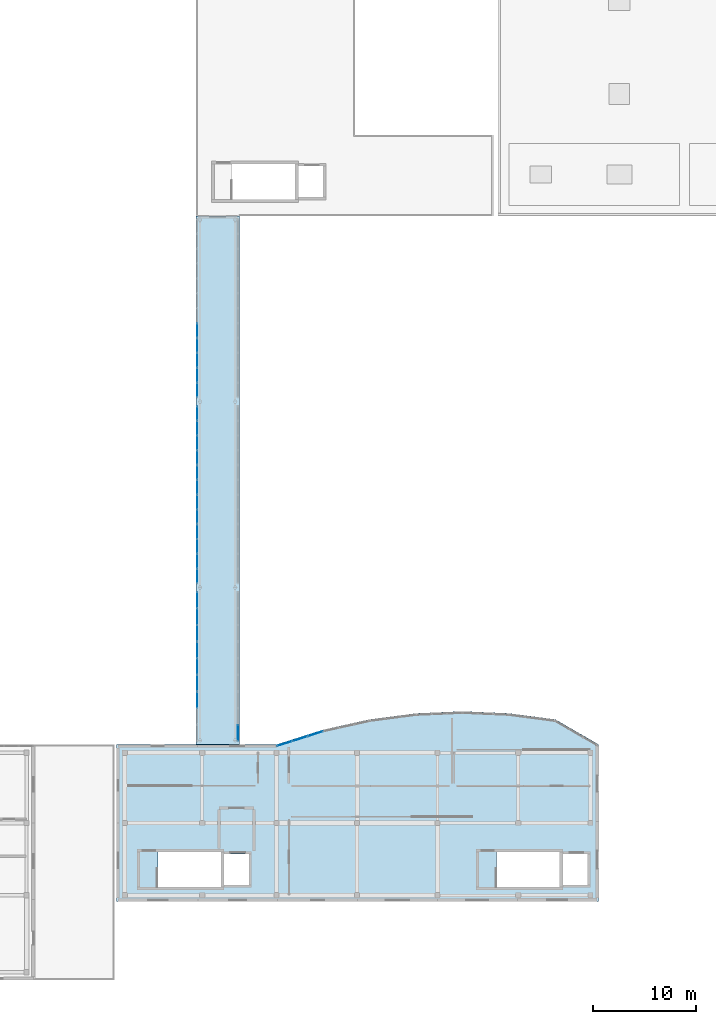
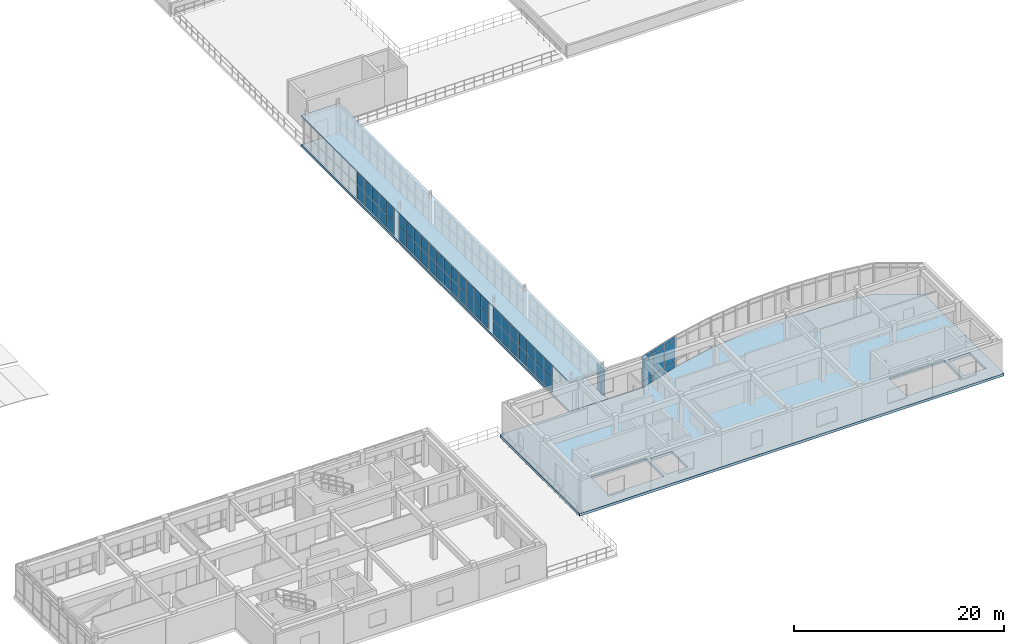
# One storey, part 37 of 52: 59 plates, 3 slabs, 10 elements without a shape of their own.
"""IFC4 building model written with IfcOpenShell, lengths in metres."""

from ifc_helpers import new_model, si_unit, direction, frame, origin, origin_2d, place, context, subcontext, project, spatial, polyline, rectangle, outline, extrude, material, layer, layer_set, type_object, element, aggregate, save


model = new_model("IFC4")

# Units and contexts
model_context = context("Model", 3, precision=1e-05, world=origin(), true_north=direction((0.0, 1.0)))
body_context = subcontext(model_context, "Body", "Model", "MODEL_VIEW")
ifc_project = project(units=[si_unit("LENGTHUNIT", "METRE"), si_unit("AREAUNIT", "SQUARE_METRE"), si_unit("VOLUMEUNIT", "CUBIC_METRE"), si_unit("PLANEANGLEUNIT", "RADIAN"), si_unit("MASSUNIT", "GRAM", prefix="KILO")], contexts=[model_context])

# Site, building, storey
site_placement = place(None, origin())
site = spatial("IfcSite", under=ifc_project, at=site_placement, CompositionType="ELEMENT")
building_placement = place(site_placement, origin())
building = spatial("IfcBuilding", under=site, at=building_placement, Name="Valcora Specialist Clinic", CompositionType="ELEMENT")
storey_placement = place(building_placement, frame((0.0, 0.0, 17.679931640625)))
storey = spatial("IfcBuildingStorey", under=building, at=storey_placement, Name="L04", CompositionType="ELEMENT", Elevation=17.679931640625)

# Curtain wall, plates
ifc_material_1 = material(Name="Anodized Bronze Aluminium 6063-T6", Category="aluminium")
ifc_layer_1 = layer(ifc_material_1, 0.175048828125)
ifc_layer_set_1 = layer_set([ifc_layer_1], Name="Anodized Bronze Aluminium 6063-T6")
curtain_wall_type_1 = type_object("IfcCurtainWallType", Name="TY-CW-ARC40", PredefinedType="NOTDEFINED", material=ifc_layer_set_1)
curtain_wall_1_placement = place(storey_placement, origin())
curtain_wall_1 = element("IfcCurtainWall", 1, at=curtain_wall_1_placement, inside=storey, type_object=curtain_wall_type_1, Name="Curtain wall CW-L04-218", PredefinedType="NOTDEFINED")
ifc_material_2 = material(Name="Low-E Laminated Insulating Glass", Category="glass")
ifc_layer_2 = layer(ifc_material_2, 0.028076171875)
ifc_layer_set_2 = layer_set([ifc_layer_2], Name="Low-E Laminated Insulating Glass")
plate_type_1 = type_object("IfcPlateType", Name="TY-CWP-GLZ28", PredefinedType="CURTAIN_PANEL", material=ifc_layer_set_2)
plate_1_placement = place(storey_placement, frame((69.79150390625, 22.89453125, 0.882568359375), z_axis=(0.0, 0.0, 1.0), x_axis=(0.952916356972, 0.303233270958, 0.0)))
plate_1 = element("IfcPlate", 2, at=plate_1_placement, type_object=plate_type_1, Name="CW-ARC-40 panel 1.2", PredefinedType="CURTAIN_PANEL", context=body_context, shape_type="SweptSolid", body=[
    extrude(rectangle(XDim=1.482177734375, YDim=0.028076171875, at=origin_2d()), origin(), (0.0, 0.0, 1.0), 2.31005859375),
])
plate_2_placement = place(storey_placement, frame((69.79150390625, 22.89453125, 3.2578125), z_axis=(0.0, 0.0, 1.0), x_axis=(0.952916356972, 0.303233270958, 0.0)))
plate_2 = element("IfcPlate", 3, at=plate_2_placement, type_object=plate_type_1, Name="CW-ARC-40 panel 1.3", PredefinedType="CURTAIN_PANEL", context=body_context, shape_type="SweptSolid", body=[
    extrude(rectangle(XDim=1.482177734375, YDim=0.028076171875, at=origin_2d()), origin(), (0.0, 0.0, 1.0), 0.452392578125),
])
plate_3_placement = place(storey_placement, frame((71.28125, 23.368408203125, 0.882568359375), z_axis=(0.0, 0.0, 1.0), x_axis=(0.952916356972, 0.303233270958, 0.0)))
plate_3 = element("IfcPlate", 4, at=plate_3_placement, type_object=plate_type_1, Name="CW-ARC-40 panel 2.2", PredefinedType="CURTAIN_PANEL", context=body_context, shape_type="SweptSolid", body=[
    extrude(rectangle(XDim=1.5146484375, YDim=0.028076171875, at=origin_2d()), origin(), (0.0, 0.0, 1.0), 2.31005859375),
])
plate_4_placement = place(storey_placement, frame((71.28125, 23.368408203125, 3.2578125), z_axis=(0.0, 0.0, 1.0), x_axis=(0.952916356972, 0.303233270958, 0.0)))
plate_4 = element("IfcPlate", 5, at=plate_4_placement, type_object=plate_type_1, Name="CW-ARC-40 panel 2.3", PredefinedType="CURTAIN_PANEL", context=body_context, shape_type="SweptSolid", body=[
    extrude(rectangle(XDim=1.5146484375, YDim=0.028076171875, at=origin_2d()), origin(), (0.0, 0.0, 1.0), 0.452392578125),
])
plate_5_placement = place(storey_placement, frame((72.77099609375, 23.842529296875, 0.882568359375), z_axis=(0.0, 0.0, 1.0), x_axis=(0.952916356972, 0.303233270958, 0.0)))
plate_5 = element("IfcPlate", 6, at=plate_5_placement, type_object=plate_type_1, Name="CW-ARC-40 panel 3.2", PredefinedType="CURTAIN_PANEL", context=body_context, shape_type="SweptSolid", body=[
    extrude(rectangle(XDim=1.482177734375, YDim=0.028076171875, at=origin_2d()), origin(), (0.0, 0.0, 1.0), 2.31005859375),
])
plate_6_placement = place(storey_placement, frame((72.77099609375, 23.842529296875, 3.2578125), z_axis=(0.0, 0.0, 1.0), x_axis=(0.952916356972, 0.303233270958, 0.0)))
plate_6 = element("IfcPlate", 7, at=plate_6_placement, type_object=plate_type_1, Name="CW-ARC-40 panel 3.3", PredefinedType="CURTAIN_PANEL", context=body_context, shape_type="SweptSolid", body=[
    extrude(rectangle(XDim=1.482177734375, YDim=0.028076171875, at=origin_2d()), origin(), (0.0, 0.0, 1.0), 0.452392578125),
])

ifc_layer_3 = layer(ifc_material_1, 0.175048828125)
ifc_layer_set_3 = layer_set([ifc_layer_3], Name="Anodized Bronze Aluminium 6063-T6")
curtain_wall_type_2 = type_object("IfcCurtainWallType", Name="TY-CW-BRG14", PredefinedType="NOTDEFINED", material=ifc_layer_set_3)
curtain_wall_2_placement = place(storey_placement, origin())
curtain_wall_2 = element("IfcCurtainWall", 8, at=curtain_wall_2_placement, inside=storey, type_object=curtain_wall_type_2, Name="Curtain wall CW-L04-268", PredefinedType="NOTDEFINED")
plate_7_placement = place(storey_placement, frame((61.320068359375, 28.755126953125, 0.065185546875), z_axis=(0.0, 0.0, 1.0), x_axis=(0.0, 1.0, 0.0)))
plate_7 = element("IfcPlate", 9, at=plate_7_placement, type_object=plate_type_1, Name="CW-BRG-14 panel 1.1", PredefinedType="CURTAIN_PANEL", context=body_context, shape_type="SweptSolid", body=[
    extrude(rectangle(XDim=1.513671875, YDim=0.028076171875, at=origin_2d()), origin(), (0.0, 0.0, 1.0), 1.5224609375),
])
plate_8_placement = place(storey_placement, frame((61.320068359375, 28.755126953125, 1.652587890625), z_axis=(0.0, 0.0, 1.0), x_axis=(0.0, 1.0, 0.0)))
plate_8 = element("IfcPlate", 10, at=plate_8_placement, type_object=plate_type_1, Name="CW-BRG-14 panel 1.2", PredefinedType="CURTAIN_PANEL", context=body_context, shape_type="SweptSolid", body=[
    extrude(rectangle(XDim=1.513671875, YDim=0.028076171875, at=origin_2d()), origin(), (0.0, 0.0, 1.0), 1.5224609375),
])
plate_9_placement = place(storey_placement, frame((61.320068359375, 30.35009765625, 0.065185546875), z_axis=(0.0, 0.0, 1.0), x_axis=(0.0, 1.0, 0.0)))
plate_9 = element("IfcPlate", 11, at=plate_9_placement, type_object=plate_type_1, Name="CW-BRG-14 panel 2.1", PredefinedType="CURTAIN_PANEL", context=body_context, shape_type="SweptSolid", body=[
    extrude(rectangle(XDim=1.546142578125, YDim=0.028076171875, at=origin_2d()), origin(), (0.0, 0.0, 1.0), 1.5224609375),
])
plate_10_placement = place(storey_placement, frame((61.320068359375, 30.35009765625, 1.652587890625), z_axis=(0.0, 0.0, 1.0), x_axis=(0.0, 1.0, 0.0)))
plate_10 = element("IfcPlate", 12, at=plate_10_placement, type_object=plate_type_1, Name="CW-BRG-14 panel 2.2", PredefinedType="CURTAIN_PANEL", context=body_context, shape_type="SweptSolid", body=[
    extrude(rectangle(XDim=1.546142578125, YDim=0.028076171875, at=origin_2d()), origin(), (0.0, 0.0, 1.0), 1.5224609375),
])
plate_11_placement = place(storey_placement, frame((61.320068359375, 31.94482421875, 0.065185546875), z_axis=(0.0, 0.0, 1.0), x_axis=(0.0, 1.0, 0.0)))
plate_11 = element("IfcPlate", 13, at=plate_11_placement, type_object=plate_type_1, Name="CW-BRG-14 panel 3.1", PredefinedType="CURTAIN_PANEL", context=body_context, shape_type="SweptSolid", body=[
    extrude(rectangle(XDim=1.513671875, YDim=0.028076171875, at=origin_2d()), origin(), (0.0, 0.0, 1.0), 1.5224609375),
])
plate_12_placement = place(storey_placement, frame((61.320068359375, 31.94482421875, 1.652587890625), z_axis=(0.0, 0.0, 1.0), x_axis=(0.0, 1.0, 0.0)))
plate_12 = element("IfcPlate", 14, at=plate_12_placement, type_object=plate_type_1, Name="CW-BRG-14 panel 3.2", PredefinedType="CURTAIN_PANEL", context=body_context, shape_type="SweptSolid", body=[
    extrude(rectangle(XDim=1.513671875, YDim=0.028076171875, at=origin_2d()), origin(), (0.0, 0.0, 1.0), 1.5224609375),
])
aggregate(curtain_wall_2, [plate_7, plate_8, plate_9, plate_10, plate_11, plate_12])

curtain_wall_3_placement = place(storey_placement, origin())
curtain_wall_3 = element("IfcCurtainWall", 15, at=curtain_wall_3_placement, inside=storey, type_object=curtain_wall_type_2, Name="Curtain wall CW-L04-270", PredefinedType="NOTDEFINED")
plate_13_placement = place(storey_placement, frame((61.320068359375, 39.1328125, 0.065185546875), z_axis=(0.0, 0.0, 1.0), x_axis=(0.0, 1.0, 0.0)))
plate_13 = element("IfcPlate", 16, at=plate_13_placement, type_object=plate_type_1, Name="CW-BRG-14 panel 1.1", PredefinedType="CURTAIN_PANEL", context=body_context, shape_type="SweptSolid", body=[
    extrude(rectangle(XDim=1.3359375, YDim=0.028076171875, at=origin_2d()), origin(), (0.0, 0.0, 1.0), 1.5224609375),
])
plate_14_placement = place(storey_placement, frame((61.320068359375, 39.1328125, 1.652587890625), z_axis=(0.0, 0.0, 1.0), x_axis=(0.0, 1.0, 0.0)))
plate_14 = element("IfcPlate", 17, at=plate_14_placement, type_object=plate_type_1, Name="CW-BRG-14 panel 1.2", PredefinedType="CURTAIN_PANEL", context=body_context, shape_type="SweptSolid", body=[
    extrude(rectangle(XDim=1.3359375, YDim=0.028076171875, at=origin_2d()), origin(), (0.0, 0.0, 1.0), 1.5224609375),
])
plate_15_placement = place(storey_placement, frame((61.320068359375, 40.550048828125, 0.065185546875), z_axis=(0.0, 0.0, 1.0), x_axis=(0.0, 1.0, 0.0)))
plate_15 = element("IfcPlate", 18, at=plate_15_placement, type_object=plate_type_1, Name="CW-BRG-14 panel 2.1", PredefinedType="CURTAIN_PANEL", context=body_context, shape_type="SweptSolid", body=[
    extrude(rectangle(XDim=1.368408203125, YDim=0.028076171875, at=origin_2d()), origin(), (0.0, 0.0, 1.0), 1.5224609375),
])
plate_16_placement = place(storey_placement, frame((61.320068359375, 40.550048828125, 1.652587890625), z_axis=(0.0, 0.0, 1.0), x_axis=(0.0, 1.0, 0.0)))
plate_16 = element("IfcPlate", 19, at=plate_16_placement, type_object=plate_type_1, Name="CW-BRG-14 panel 2.2", PredefinedType="CURTAIN_PANEL", context=body_context, shape_type="SweptSolid", body=[
    extrude(rectangle(XDim=1.368408203125, YDim=0.028076171875, at=origin_2d()), origin(), (0.0, 0.0, 1.0), 1.5224609375),
])
plate_17_placement = place(storey_placement, frame((61.320068359375, 41.9833984375, 0.065185546875), z_axis=(0.0, 0.0, 1.0), x_axis=(0.0, 1.0, 0.0)))
plate_17 = element("IfcPlate", 20, at=plate_17_placement, type_object=plate_type_1, Name="CW-BRG-14 panel 3.1", PredefinedType="CURTAIN_PANEL", context=body_context, shape_type="SweptSolid", body=[
    extrude(rectangle(XDim=1.368408203125, YDim=0.028076171875, at=origin_2d()), origin(), (0.0, 0.0, 1.0), 1.5224609375),
])
plate_18_placement = place(storey_placement, frame((61.320068359375, 41.9833984375, 1.652587890625), z_axis=(0.0, 0.0, 1.0), x_axis=(0.0, 1.0, 0.0)))
plate_18 = element("IfcPlate", 21, at=plate_18_placement, type_object=plate_type_1, Name="CW-BRG-14 panel 3.2", PredefinedType="CURTAIN_PANEL", context=body_context, shape_type="SweptSolid", body=[
    extrude(rectangle(XDim=1.368408203125, YDim=0.028076171875, at=origin_2d()), origin(), (0.0, 0.0, 1.0), 1.5224609375),
])
plate_19_placement = place(storey_placement, frame((61.320068359375, 43.400390625, 0.065185546875), z_axis=(0.0, 0.0, 1.0), x_axis=(0.0, 1.0, 0.0)))
plate_19 = element("IfcPlate", 22, at=plate_19_placement, type_object=plate_type_1, Name="CW-BRG-14 panel 4.1", PredefinedType="CURTAIN_PANEL", context=body_context, shape_type="SweptSolid", body=[
    extrude(rectangle(XDim=1.3359375, YDim=0.028076171875, at=origin_2d()), origin(), (0.0, 0.0, 1.0), 1.5224609375),
])
plate_20_placement = place(storey_placement, frame((61.320068359375, 43.400390625, 1.652587890625), z_axis=(0.0, 0.0, 1.0), x_axis=(0.0, 1.0, 0.0)))
plate_20 = element("IfcPlate", 23, at=plate_20_placement, type_object=plate_type_1, Name="CW-BRG-14 panel 4.2", PredefinedType="CURTAIN_PANEL", context=body_context, shape_type="SweptSolid", body=[
    extrude(rectangle(XDim=1.3359375, YDim=0.028076171875, at=origin_2d()), origin(), (0.0, 0.0, 1.0), 1.5224609375),
])
aggregate(curtain_wall_3, [plate_13, plate_14, plate_15, plate_16, plate_17, plate_18, plate_19, plate_20])

curtain_wall_4_placement = place(storey_placement, origin())
curtain_wall_4 = element("IfcCurtainWall", 24, at=curtain_wall_4_placement, inside=storey, type_object=curtain_wall_type_2, Name="Curtain wall CW-L04-272", PredefinedType="NOTDEFINED")
plate_21_placement = place(storey_placement, frame((61.320068359375, 50.599609375, 0.065185546875), z_axis=(0.0, 0.0, 1.0), x_axis=(0.0, 1.0, 0.0)))
plate_21 = element("IfcPlate", 25, at=plate_21_placement, type_object=plate_type_1, Name="CW-BRG-14 panel 1.1", PredefinedType="CURTAIN_PANEL", context=body_context, shape_type="SweptSolid", body=[
    extrude(rectangle(XDim=1.3359375, YDim=0.028076171875, at=origin_2d()), origin(), (0.0, 0.0, 1.0), 1.5224609375),
])
plate_22_placement = place(storey_placement, frame((61.320068359375, 50.599609375, 1.652587890625), z_axis=(0.0, 0.0, 1.0), x_axis=(0.0, 1.0, 0.0)))
plate_22 = element("IfcPlate", 26, at=plate_22_placement, type_object=plate_type_1, Name="CW-BRG-14 panel 1.2", PredefinedType="CURTAIN_PANEL", context=body_context, shape_type="SweptSolid", body=[
    extrude(rectangle(XDim=1.3359375, YDim=0.028076171875, at=origin_2d()), origin(), (0.0, 0.0, 1.0), 1.5224609375),
])
plate_23_placement = place(storey_placement, frame((61.320068359375, 52.0166015625, 0.065185546875), z_axis=(0.0, 0.0, 1.0), x_axis=(0.0, 1.0, 0.0)))
plate_23 = element("IfcPlate", 27, at=plate_23_placement, type_object=plate_type_1, Name="CW-BRG-14 panel 2.1", PredefinedType="CURTAIN_PANEL", context=body_context, shape_type="SweptSolid", body=[
    extrude(rectangle(XDim=1.368408203125, YDim=0.028076171875, at=origin_2d()), origin(), (0.0, 0.0, 1.0), 1.5224609375),
])
plate_24_placement = place(storey_placement, frame((61.320068359375, 52.0166015625, 1.652587890625), z_axis=(0.0, 0.0, 1.0), x_axis=(0.0, 1.0, 0.0)))
plate_24 = element("IfcPlate", 28, at=plate_24_placement, type_object=plate_type_1, Name="CW-BRG-14 panel 2.2", PredefinedType="CURTAIN_PANEL", context=body_context, shape_type="SweptSolid", body=[
    extrude(rectangle(XDim=1.368408203125, YDim=0.028076171875, at=origin_2d()), origin(), (0.0, 0.0, 1.0), 1.5224609375),
])
plate_25_placement = place(storey_placement, frame((61.320068359375, 53.449951171875, 0.065185546875), z_axis=(0.0, 0.0, 1.0), x_axis=(0.0, 1.0, 0.0)))
plate_25 = element("IfcPlate", 29, at=plate_25_placement, type_object=plate_type_1, Name="CW-BRG-14 panel 3.1", PredefinedType="CURTAIN_PANEL", context=body_context, shape_type="SweptSolid", body=[
    extrude(rectangle(XDim=1.368408203125, YDim=0.028076171875, at=origin_2d()), origin(), (0.0, 0.0, 1.0), 1.5224609375),
])
plate_26_placement = place(storey_placement, frame((61.320068359375, 53.449951171875, 1.652587890625), z_axis=(0.0, 0.0, 1.0), x_axis=(0.0, 1.0, 0.0)))
plate_26 = element("IfcPlate", 30, at=plate_26_placement, type_object=plate_type_1, Name="CW-BRG-14 panel 3.2", PredefinedType="CURTAIN_PANEL", context=body_context, shape_type="SweptSolid", body=[
    extrude(rectangle(XDim=1.368408203125, YDim=0.028076171875, at=origin_2d()), origin(), (0.0, 0.0, 1.0), 1.5224609375),
])
plate_27_placement = place(storey_placement, frame((61.320068359375, 54.8671875, 0.065185546875), z_axis=(0.0, 0.0, 1.0), x_axis=(0.0, 1.0, 0.0)))
plate_27 = element("IfcPlate", 31, at=plate_27_placement, type_object=plate_type_1, Name="CW-BRG-14 panel 4.1", PredefinedType="CURTAIN_PANEL", context=body_context, shape_type="SweptSolid", body=[
    extrude(rectangle(XDim=1.3359375, YDim=0.028076171875, at=origin_2d()), origin(), (0.0, 0.0, 1.0), 1.5224609375),
])
plate_28_placement = place(storey_placement, frame((61.320068359375, 54.8671875, 1.652587890625), z_axis=(0.0, 0.0, 1.0), x_axis=(0.0, 1.0, 0.0)))
plate_28 = element("IfcPlate", 32, at=plate_28_placement, type_object=plate_type_1, Name="CW-BRG-14 panel 4.2", PredefinedType="CURTAIN_PANEL", context=body_context, shape_type="SweptSolid", body=[
    extrude(rectangle(XDim=1.3359375, YDim=0.028076171875, at=origin_2d()), origin(), (0.0, 0.0, 1.0), 1.5224609375),
])
aggregate(curtain_wall_4, [plate_21, plate_22, plate_23, plate_24, plate_25, plate_26, plate_27, plate_28])

curtain_wall_5_placement = place(storey_placement, origin())
curtain_wall_5 = element("IfcCurtainWall", 33, at=curtain_wall_5_placement, inside=storey, type_object=curtain_wall_type_2, Name="Curtain wall CW-L04-274", PredefinedType="NOTDEFINED")
plate_29_placement = place(storey_placement, frame((61.320068359375, 62.90380859375, 0.065185546875), z_axis=(0.0, 0.0, 1.0), x_axis=(0.0, 1.0, 0.0)))
plate_29 = element("IfcPlate", 34, at=plate_29_placement, type_object=plate_type_1, Name="CW-BRG-14 panel 1.1", PredefinedType="CURTAIN_PANEL", context=body_context, shape_type="SweptSolid", body=[
    extrude(rectangle(XDim=1.34423828125, YDim=0.028076171875, at=origin_2d()), origin(), (0.0, 0.0, 1.0), 1.5224609375),
])
plate_30_placement = place(storey_placement, frame((61.320068359375, 62.90380859375, 1.652587890625), z_axis=(0.0, 0.0, 1.0), x_axis=(0.0, 1.0, 0.0)))
plate_30 = element("IfcPlate", 35, at=plate_30_placement, type_object=plate_type_1, Name="CW-BRG-14 panel 1.2", PredefinedType="CURTAIN_PANEL", context=body_context, shape_type="SweptSolid", body=[
    extrude(rectangle(XDim=1.34423828125, YDim=0.028076171875, at=origin_2d()), origin(), (0.0, 0.0, 1.0), 1.5224609375),
])
aggregate(curtain_wall_5, [plate_29, plate_30])

curtain_wall_6_placement = place(storey_placement, origin())
curtain_wall_6 = element("IfcCurtainWall", 36, at=curtain_wall_6_placement, inside=storey, type_object=curtain_wall_type_2, Name="Curtain wall CW-L04-276", PredefinedType="NOTDEFINED")
plate_31_placement = place(storey_placement, frame((65.280029296875, 23.921875, 0.065185546875), z_axis=(0.0, 0.0, 1.0), x_axis=(0.0, 1.0, 0.0)))
plate_31 = element("IfcPlate", 37, at=plate_31_placement, type_object=plate_type_1, Name="CW-BRG-14 panel 1.1", PredefinedType="CURTAIN_PANEL", context=body_context, shape_type="SweptSolid", body=[
    extrude(rectangle(XDim=1.513671875, YDim=0.028076171875, at=origin_2d()), origin(), (0.0, 0.0, 1.0), 1.5224609375),
])
plate_32_placement = place(storey_placement, frame((65.280029296875, 23.921875, 1.652587890625), z_axis=(0.0, 0.0, 1.0), x_axis=(0.0, 1.0, 0.0)))
plate_32 = element("IfcPlate", 38, at=plate_32_placement, type_object=plate_type_1, Name="CW-BRG-14 panel 1.2", PredefinedType="CURTAIN_PANEL", context=body_context, shape_type="SweptSolid", body=[
    extrude(rectangle(XDim=1.513671875, YDim=0.028076171875, at=origin_2d()), origin(), (0.0, 0.0, 1.0), 1.5224609375),
])
aggregate(curtain_wall_6, [plate_31, plate_32])

curtain_wall_7_placement = place(storey_placement, origin())
curtain_wall_7 = element("IfcCurtainWall", 39, at=curtain_wall_7_placement, inside=storey, type_object=curtain_wall_type_2, Name="Curtain wall CW-L04-267", PredefinedType="NOTDEFINED")
ifc_layer_4 = layer(ifc_material_2, 0.033935546875)
ifc_layer_set_4 = layer_set([ifc_layer_4], Name="Low-E Laminated Insulating Glass")
plate_type_2 = type_object("IfcPlateType", Name="TY-CWP-GLZ34", PredefinedType="CURTAIN_PANEL", material=ifc_layer_set_4)
plate_33_placement = place(storey_placement, frame((61.320068359375, 27.111572265625, 0.065185546875), z_axis=(0.0, 0.0, 1.0), x_axis=(0.0, 1.0, 0.0)))
plate_33 = element("IfcPlate", 40, at=plate_33_placement, type_object=plate_type_2, Name="CW-BRG-14 panel 3.1", PredefinedType="CURTAIN_PANEL", context=body_context, shape_type="SweptSolid", body=[
    extrude(rectangle(XDim=1.513671875, YDim=0.033935546875, at=origin_2d()), origin(), (0.0, 0.0, 1.0), 1.5224609375),
])
plate_34_placement = place(storey_placement, frame((61.320068359375, 27.111572265625, 1.652587890625), z_axis=(0.0, 0.0, 1.0), x_axis=(0.0, 1.0, 0.0)))
plate_34 = element("IfcPlate", 41, at=plate_34_placement, type_object=plate_type_2, Name="CW-BRG-14 panel 3.2", PredefinedType="CURTAIN_PANEL", context=body_context, shape_type="SweptSolid", body=[
    extrude(rectangle(XDim=1.513671875, YDim=0.033935546875, at=origin_2d()), origin(), (0.0, 0.0, 1.0), 1.5224609375),
])
aggregate(curtain_wall_7, [plate_33, plate_34])

curtain_wall_8_placement = place(storey_placement, origin())
curtain_wall_8 = element("IfcCurtainWall", 42, at=curtain_wall_8_placement, inside=storey, type_object=curtain_wall_type_2, Name="Curtain wall CW-L04-269", PredefinedType="NOTDEFINED")
plate_35_placement = place(storey_placement, frame((61.320068359375, 33.58837890625, 0.065185546875), z_axis=(0.0, 0.0, 1.0), x_axis=(0.0, 1.0, 0.0)))
plate_35 = element("IfcPlate", 43, at=plate_35_placement, type_object=plate_type_2, Name="CW-BRG-14 panel 1.1", PredefinedType="CURTAIN_PANEL", context=body_context, shape_type="SweptSolid", body=[
    extrude(rectangle(XDim=1.513671875, YDim=0.033935546875, at=origin_2d()), origin(), (0.0, 0.0, 1.0), 1.5224609375),
])
plate_36_placement = place(storey_placement, frame((61.320068359375, 33.58837890625, 1.652587890625), z_axis=(0.0, 0.0, 1.0), x_axis=(0.0, 1.0, 0.0)))
plate_36 = element("IfcPlate", 44, at=plate_36_placement, type_object=plate_type_2, Name="CW-BRG-14 panel 1.2", PredefinedType="CURTAIN_PANEL", context=body_context, shape_type="SweptSolid", body=[
    extrude(rectangle(XDim=1.513671875, YDim=0.033935546875, at=origin_2d()), origin(), (0.0, 0.0, 1.0), 1.5224609375),
])
plate_37_placement = place(storey_placement, frame((61.320068359375, 35.183349609375, 0.065185546875), z_axis=(0.0, 0.0, 1.0), x_axis=(0.0, 1.0, 0.0)))
plate_37 = element("IfcPlate", 45, at=plate_37_placement, type_object=plate_type_2, Name="CW-BRG-14 panel 2.1", PredefinedType="CURTAIN_PANEL", context=body_context, shape_type="SweptSolid", body=[
    extrude(rectangle(XDim=1.546142578125, YDim=0.033935546875, at=origin_2d()), origin(), (0.0, 0.0, 1.0), 1.5224609375),
])
plate_38_placement = place(storey_placement, frame((61.320068359375, 35.183349609375, 1.652587890625), z_axis=(0.0, 0.0, 1.0), x_axis=(0.0, 1.0, 0.0)))
plate_38 = element("IfcPlate", 46, at=plate_38_placement, type_object=plate_type_2, Name="CW-BRG-14 panel 2.2", PredefinedType="CURTAIN_PANEL", context=body_context, shape_type="SweptSolid", body=[
    extrude(rectangle(XDim=1.546142578125, YDim=0.033935546875, at=origin_2d()), origin(), (0.0, 0.0, 1.0), 1.5224609375),
])
plate_39_placement = place(storey_placement, frame((61.320068359375, 36.7783203125, 0.065185546875), z_axis=(0.0, 0.0, 1.0), x_axis=(0.0, 1.0, 0.0)))
plate_39 = element("IfcPlate", 47, at=plate_39_placement, type_object=plate_type_2, Name="CW-BRG-14 panel 3.1", PredefinedType="CURTAIN_PANEL", context=body_context, shape_type="SweptSolid", body=[
    extrude(rectangle(XDim=1.513671875, YDim=0.033935546875, at=origin_2d()), origin(), (0.0, 0.0, 1.0), 1.5224609375),
])
plate_40_placement = place(storey_placement, frame((61.320068359375, 36.7783203125, 1.652587890625), z_axis=(0.0, 0.0, 1.0), x_axis=(0.0, 1.0, 0.0)))
plate_40 = element("IfcPlate", 48, at=plate_40_placement, type_object=plate_type_2, Name="CW-BRG-14 panel 3.2", PredefinedType="CURTAIN_PANEL", context=body_context, shape_type="SweptSolid", body=[
    extrude(rectangle(XDim=1.513671875, YDim=0.033935546875, at=origin_2d()), origin(), (0.0, 0.0, 1.0), 1.5224609375),
])
aggregate(curtain_wall_8, [plate_35, plate_36, plate_37, plate_38, plate_39, plate_40])

curtain_wall_9_placement = place(storey_placement, origin())
curtain_wall_9 = element("IfcCurtainWall", 49, at=curtain_wall_9_placement, inside=storey, type_object=curtain_wall_type_2, Name="Curtain wall CW-L04-271", PredefinedType="NOTDEFINED")
plate_41_placement = place(storey_placement, frame((61.320068359375, 44.8662109375, 0.065185546875), z_axis=(0.0, 0.0, 1.0), x_axis=(0.0, 1.0, 0.0)))
plate_41 = element("IfcPlate", 50, at=plate_41_placement, type_object=plate_type_2, Name="CW-BRG-14 panel 1.1", PredefinedType="CURTAIN_PANEL", context=body_context, shape_type="SweptSolid", body=[
    extrude(rectangle(XDim=1.3359375, YDim=0.033935546875, at=origin_2d()), origin(), (0.0, 0.0, 1.0), 1.5224609375),
])
plate_42_placement = place(storey_placement, frame((61.320068359375, 44.8662109375, 1.652587890625), z_axis=(0.0, 0.0, 1.0), x_axis=(0.0, 1.0, 0.0)))
plate_42 = element("IfcPlate", 51, at=plate_42_placement, type_object=plate_type_2, Name="CW-BRG-14 panel 1.2", PredefinedType="CURTAIN_PANEL", context=body_context, shape_type="SweptSolid", body=[
    extrude(rectangle(XDim=1.3359375, YDim=0.033935546875, at=origin_2d()), origin(), (0.0, 0.0, 1.0), 1.5224609375),
])
plate_43_placement = place(storey_placement, frame((61.320068359375, 46.283203125, 0.065185546875), z_axis=(0.0, 0.0, 1.0), x_axis=(0.0, 1.0, 0.0)))
plate_43 = element("IfcPlate", 52, at=plate_43_placement, type_object=plate_type_2, Name="CW-BRG-14 panel 2.1", PredefinedType="CURTAIN_PANEL", context=body_context, shape_type="SweptSolid", body=[
    extrude(rectangle(XDim=1.368408203125, YDim=0.033935546875, at=origin_2d()), origin(), (0.0, 0.0, 1.0), 1.5224609375),
])
plate_44_placement = place(storey_placement, frame((61.320068359375, 46.283203125, 1.652587890625), z_axis=(0.0, 0.0, 1.0), x_axis=(0.0, 1.0, 0.0)))
plate_44 = element("IfcPlate", 53, at=plate_44_placement, type_object=plate_type_2, Name="CW-BRG-14 panel 2.2", PredefinedType="CURTAIN_PANEL", context=body_context, shape_type="SweptSolid", body=[
    extrude(rectangle(XDim=1.368408203125, YDim=0.033935546875, at=origin_2d()), origin(), (0.0, 0.0, 1.0), 1.5224609375),
])
plate_45_placement = place(storey_placement, frame((61.320068359375, 47.716796875, 0.065185546875), z_axis=(0.0, 0.0, 1.0), x_axis=(0.0, 1.0, 0.0)))
plate_45 = element("IfcPlate", 54, at=plate_45_placement, type_object=plate_type_2, Name="CW-BRG-14 panel 3.1", PredefinedType="CURTAIN_PANEL", context=body_context, shape_type="SweptSolid", body=[
    extrude(rectangle(XDim=1.368408203125, YDim=0.033935546875, at=origin_2d()), origin(), (0.0, 0.0, 1.0), 1.5224609375),
])
plate_46_placement = place(storey_placement, frame((61.320068359375, 47.716796875, 1.652587890625), z_axis=(0.0, 0.0, 1.0), x_axis=(0.0, 1.0, 0.0)))
plate_46 = element("IfcPlate", 55, at=plate_46_placement, type_object=plate_type_2, Name="CW-BRG-14 panel 3.2", PredefinedType="CURTAIN_PANEL", context=body_context, shape_type="SweptSolid", body=[
    extrude(rectangle(XDim=1.368408203125, YDim=0.033935546875, at=origin_2d()), origin(), (0.0, 0.0, 1.0), 1.5224609375),
])
plate_47_placement = place(storey_placement, frame((61.320068359375, 49.1337890625, 0.065185546875), z_axis=(0.0, 0.0, 1.0), x_axis=(0.0, 1.0, 0.0)))
plate_47 = element("IfcPlate", 56, at=plate_47_placement, type_object=plate_type_2, Name="CW-BRG-14 panel 4.1", PredefinedType="CURTAIN_PANEL", context=body_context, shape_type="SweptSolid", body=[
    extrude(rectangle(XDim=1.3359375, YDim=0.033935546875, at=origin_2d()), origin(), (0.0, 0.0, 1.0), 1.5224609375),
])
plate_48_placement = place(storey_placement, frame((61.320068359375, 49.1337890625, 1.652587890625), z_axis=(0.0, 0.0, 1.0), x_axis=(0.0, 1.0, 0.0)))
plate_48 = element("IfcPlate", 57, at=plate_48_placement, type_object=plate_type_2, Name="CW-BRG-14 panel 4.2", PredefinedType="CURTAIN_PANEL", context=body_context, shape_type="SweptSolid", body=[
    extrude(rectangle(XDim=1.3359375, YDim=0.033935546875, at=origin_2d()), origin(), (0.0, 0.0, 1.0), 1.5224609375),
])
aggregate(curtain_wall_9, [plate_41, plate_42, plate_43, plate_44, plate_45, plate_46, plate_47, plate_48])

curtain_wall_10_placement = place(storey_placement, origin())
curtain_wall_10 = element("IfcCurtainWall", 58, at=curtain_wall_10_placement, inside=storey, type_object=curtain_wall_type_2, Name="Curtain wall CW-L04-273", PredefinedType="NOTDEFINED")
plate_49_placement = place(storey_placement, frame((61.320068359375, 57.13720703125, 0.065185546875), z_axis=(0.0, 0.0, 1.0), x_axis=(0.0, 1.0, 0.0)))
plate_49 = element("IfcPlate", 59, at=plate_49_placement, type_object=plate_type_2, Name="CW-BRG-14 panel 1.1", PredefinedType="CURTAIN_PANEL", context=body_context, shape_type="SweptSolid", body=[
    extrude(rectangle(XDim=1.34423828125, YDim=0.033935546875, at=origin_2d()), origin(), (0.0, 0.0, 1.0), 1.5224609375),
])
plate_50_placement = place(storey_placement, frame((61.320068359375, 57.13720703125, 1.652587890625), z_axis=(0.0, 0.0, 1.0), x_axis=(0.0, 1.0, 0.0)))
plate_50 = element("IfcPlate", 60, at=plate_50_placement, type_object=plate_type_2, Name="CW-BRG-14 panel 1.2", PredefinedType="CURTAIN_PANEL", context=body_context, shape_type="SweptSolid", body=[
    extrude(rectangle(XDim=1.34423828125, YDim=0.033935546875, at=origin_2d()), origin(), (0.0, 0.0, 1.0), 1.5224609375),
])
plate_51_placement = place(storey_placement, frame((61.320068359375, 58.5625, 0.065185546875), z_axis=(0.0, 0.0, 1.0), x_axis=(0.0, 1.0, 0.0)))
plate_51 = element("IfcPlate", 61, at=plate_51_placement, type_object=plate_type_2, Name="CW-BRG-14 panel 2.1", PredefinedType="CURTAIN_PANEL", context=body_context, shape_type="SweptSolid", body=[
    extrude(rectangle(XDim=1.376708984375, YDim=0.033935546875, at=origin_2d()), origin(), (0.0, 0.0, 1.0), 1.5224609375),
])
plate_52_placement = place(storey_placement, frame((61.320068359375, 58.5625, 1.652587890625), z_axis=(0.0, 0.0, 1.0), x_axis=(0.0, 1.0, 0.0)))
plate_52 = element("IfcPlate", 62, at=plate_52_placement, type_object=plate_type_2, Name="CW-BRG-14 panel 2.2", PredefinedType="CURTAIN_PANEL", context=body_context, shape_type="SweptSolid", body=[
    extrude(rectangle(XDim=1.376708984375, YDim=0.033935546875, at=origin_2d()), origin(), (0.0, 0.0, 1.0), 1.5224609375),
])
plate_53_placement = place(storey_placement, frame((61.320068359375, 60.004150390625, 0.065185546875), z_axis=(0.0, 0.0, 1.0), x_axis=(0.0, 1.0, 0.0)))
plate_53 = element("IfcPlate", 63, at=plate_53_placement, type_object=plate_type_2, Name="CW-BRG-14 panel 3.1", PredefinedType="CURTAIN_PANEL", context=body_context, shape_type="SweptSolid", body=[
    extrude(rectangle(XDim=1.376708984375, YDim=0.033935546875, at=origin_2d()), origin(), (0.0, 0.0, 1.0), 1.5224609375),
])
plate_54_placement = place(storey_placement, frame((61.320068359375, 60.004150390625, 1.652587890625), z_axis=(0.0, 0.0, 1.0), x_axis=(0.0, 1.0, 0.0)))
plate_54 = element("IfcPlate", 64, at=plate_54_placement, type_object=plate_type_2, Name="CW-BRG-14 panel 3.2", PredefinedType="CURTAIN_PANEL", context=body_context, shape_type="SweptSolid", body=[
    extrude(rectangle(XDim=1.376708984375, YDim=0.033935546875, at=origin_2d()), origin(), (0.0, 0.0, 1.0), 1.5224609375),
])
plate_55_placement = place(storey_placement, frame((61.320068359375, 61.4296875, 0.065185546875), z_axis=(0.0, 0.0, 1.0), x_axis=(0.0, 1.0, 0.0)))
plate_55 = element("IfcPlate", 65, at=plate_55_placement, type_object=plate_type_2, Name="CW-BRG-14 panel 4.1", PredefinedType="CURTAIN_PANEL", context=body_context, shape_type="SweptSolid", body=[
    extrude(rectangle(XDim=1.34423828125, YDim=0.033935546875, at=origin_2d()), origin(), (0.0, 0.0, 1.0), 1.5224609375),
])
plate_56_placement = place(storey_placement, frame((61.320068359375, 61.4296875, 1.652587890625), z_axis=(0.0, 0.0, 1.0), x_axis=(0.0, 1.0, 0.0)))
plate_56 = element("IfcPlate", 66, at=plate_56_placement, type_object=plate_type_2, Name="CW-BRG-14 panel 4.2", PredefinedType="CURTAIN_PANEL", context=body_context, shape_type="SweptSolid", body=[
    extrude(rectangle(XDim=1.34423828125, YDim=0.033935546875, at=origin_2d()), origin(), (0.0, 0.0, 1.0), 1.5224609375),
])
aggregate(curtain_wall_10, [plate_49, plate_50, plate_51, plate_52, plate_53, plate_54, plate_55, plate_56])

# Plate
ifc_material_3 = material(Name="Insulated Spandrel Panel")
ifc_layer_5 = layer(ifc_material_3, 0.044921875)
ifc_layer_set_5 = layer_set([ifc_layer_5], Name="Insulated Spandrel Panel")
plate_type_3 = type_object("IfcPlateType", Name="TY-CWP-SPN45", PredefinedType="SHEET", material=ifc_layer_set_5)
plate_57_placement = place(storey_placement, frame((69.79150390625, 22.89453125, 0.065185546875), z_axis=(0.0, 0.0, 1.0), x_axis=(0.952916356972, 0.303233270958, 0.0)))
plate_57 = element("IfcPlate", 67, at=plate_57_placement, type_object=plate_type_3, Name="CW-ARC-40 panel 1.1", PredefinedType="SHEET", context=body_context, shape_type="SweptSolid", body=[
    extrude(rectangle(XDim=1.482177734375, YDim=0.044921875, at=origin_2d()), origin(), (0.0, 0.0, 1.0), 0.75244140625),
])

plate_58_placement = place(storey_placement, frame((71.28125, 23.368408203125, 0.065185546875), z_axis=(0.0, 0.0, 1.0), x_axis=(0.952916356972, 0.303233270958, 0.0)))
plate_58 = element("IfcPlate", 68, at=plate_58_placement, type_object=plate_type_3, Name="CW-ARC-40 panel 2.1", PredefinedType="SHEET", context=body_context, shape_type="SweptSolid", body=[
    extrude(rectangle(XDim=1.5146484375, YDim=0.044921875, at=origin_2d()), origin(), (0.0, 0.0, 1.0), 0.75244140625),
])

plate_59_placement = place(storey_placement, frame((72.77099609375, 23.842529296875, 0.065185546875), z_axis=(0.0, 0.0, 1.0), x_axis=(0.952916356972, 0.303233270958, 0.0)))
plate_59 = element("IfcPlate", 69, at=plate_59_placement, type_object=plate_type_3, Name="CW-ARC-40 panel 3.1", PredefinedType="SHEET", context=body_context, shape_type="SweptSolid", body=[
    extrude(rectangle(XDim=1.482177734375, YDim=0.044921875, at=origin_2d()), origin(), (0.0, 0.0, 1.0), 0.75244140625),
])

aggregate(curtain_wall_1, [plate_57, plate_1, plate_2, plate_58, plate_3, plate_4, plate_59, plate_5, plate_6])

# Slabs
ifc_material_4 = material(Name="Concrete C40/50", Category="concrete")
ifc_layer_6 = layer(ifc_material_4, 0.25)
ifc_layer_set_6 = layer_set([ifc_layer_6], Name="Concrete C40/50")
slab_type_1 = type_object("IfcSlabType", Name="TY-SL-BRG250", PredefinedType="FLOOR", material=ifc_layer_set_6)
slab_1_placement = place(storey_placement, frame((0.0, 0.0, -0.25)))
element("IfcSlab", 70, at=slab_1_placement, inside=storey, type_object=slab_type_1, Name="Link bridge deck BRG-E-L04 SL-L04-084", PredefinedType="FLOOR", context=body_context, shape_type="SweptSolid", body=[
    extrude(outline(polyline([(61.199951171875, 22.800048828125), (65.39990234375, 22.800048828125), (65.39990234375, 74.0), (61.199951171875, 74.0), (61.199951171875, 22.800048828125)])), origin(), (0.0, 0.0, 1.0), 0.25),
])
ifc_layer_7 = layer(ifc_material_4, 0.159912109375)
ifc_layer_set_7 = layer_set([ifc_layer_7], Name="Concrete C40/50")
slab_type_2 = type_object("IfcSlabType", Name="TY-SL-CNP160", PredefinedType="ROOF", material=ifc_layer_set_7)
slab_2_placement = place(storey_placement, frame((0.0, 0.0, 3.239990234375)))
element("IfcSlab", 71, at=slab_2_placement, inside=storey, type_object=slab_type_2, Name="Link bridge roof BRG-E-L04 SL-L04-085", PredefinedType="ROOF", context=body_context, shape_type="SweptSolid", body=[
    extrude(outline(polyline([(61.199951171875, 22.800048828125), (65.39990234375, 22.800048828125), (65.39990234375, 74.0), (61.199951171875, 74.0), (61.199951171875, 22.800048828125)])), origin(), (0.0, 0.0, 1.0), 0.16015625),
])
ifc_layer_8 = layer(ifc_material_4, 0.300048828125)
ifc_layer_set_8 = layer_set([ifc_layer_8], Name="Concrete C40/50")
slab_type_3 = type_object("IfcSlabType", Name="TY-SL-FLR300", PredefinedType="FLOOR", material=ifc_layer_set_8)
slab_3_placement = place(storey_placement, frame((0.0, 0.0, -0.300048828125)))
element("IfcSlab", 72, at=slab_3_placement, inside=storey, type_object=slab_type_3, Name="V6 L04 structural slab SL-L04-025", PredefinedType="FLOOR", context=body_context, shape_type="SweptSolid", body=[
    extrude(outline(polyline([(53.5, 7.60009765625), (100.199951171875, 7.60009765625), (100.199951171875, 22.800048828125), (100.199951171875, 22.800048828125), (96.0, 25.22998046875), (91.5, 25.820068359375), (87.0, 26.014892578125), (82.5, 25.820068359375), (78.0, 25.22998046875), (73.5, 24.23193359375), (69.0, 22.800048828125), (53.5, 22.800048828125), (53.5, 7.60009765625)]), holes=[polyline([(57.500732421875, 9.0), (63.60009765625, 9.0), (63.60009765625, 12.39990234375), (57.500732421875, 12.39990234375), (57.500732421875, 9.0)]), polyline([(63.919921875, 9.199951171875), (66.320068359375, 9.199951171875), (66.320068359375, 12.199951171875), (63.919921875, 12.199951171875), (63.919921875, 9.199951171875)]), polyline([(90.30078125, 9.0), (96.39990234375, 9.0), (96.39990234375, 12.39990234375), (90.30078125, 12.39990234375), (90.30078125, 9.0)]), polyline([(96.719970703125, 9.199951171875), (99.1201171875, 9.199951171875), (99.1201171875, 12.199951171875), (96.719970703125, 12.199951171875), (96.719970703125, 9.199951171875)])]), origin(), (0.0, 0.0, 1.0), 0.300048828125),
])

save(model, "model.ifc")
